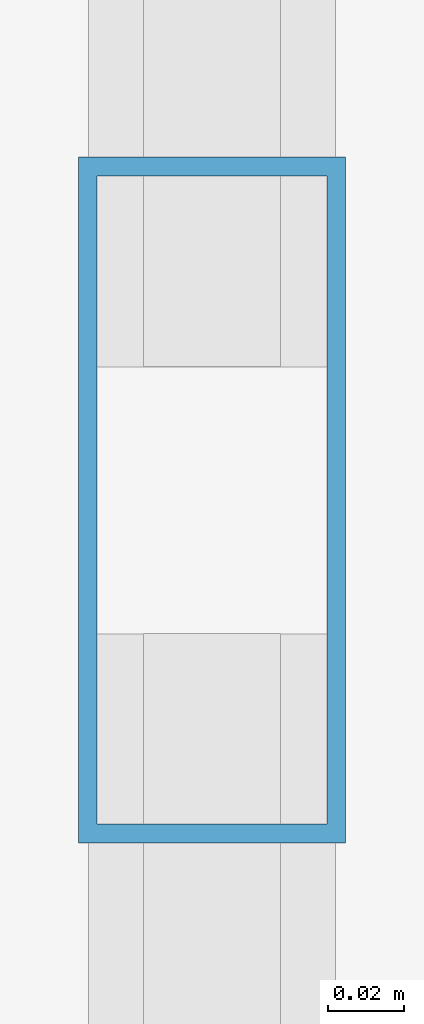
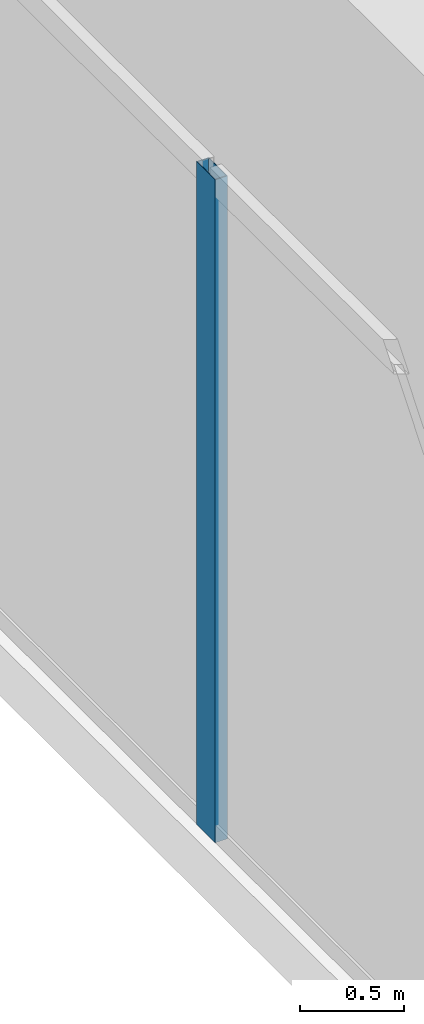
# One storey, part 9 of 32: 1 member, 1 element without a shape of its own.
"""IFC4 building model written with IfcOpenShell, lengths in metres."""

from ifc_helpers import new_model, si_unit, direction, frame, origin, origin_2d, place, context, subcontext, project, spatial, hollow_rectangle, extrude, source, transform, mapped, material, layer, layer_set, material_profile, profile_set, type_object, type_shapes, element, aggregate, save


model = new_model("IFC4")

# Units and contexts
model_context = context("Model", 3, precision=1e-05, world=origin(), true_north=direction((0.0, 1.0)))
body_context = subcontext(model_context, "Body", "Model", "MODEL_VIEW")
ifc_project = project(units=[si_unit("LENGTHUNIT", "METRE"), si_unit("AREAUNIT", "SQUARE_METRE"), si_unit("VOLUMEUNIT", "CUBIC_METRE"), si_unit("PLANEANGLEUNIT", "RADIAN"), si_unit("MASSUNIT", "GRAM", prefix="KILO")], contexts=[model_context])

# Site, building, storey
site_placement = place(None, origin())
site = spatial("IfcSite", under=ifc_project, at=site_placement, CompositionType="ELEMENT")
building_placement = place(site_placement, origin())
building = spatial("IfcBuilding", under=site, at=building_placement, Name="Haelvirn Gate Laboratories", CompositionType="ELEMENT")
storey_placement = place(building_placement, frame((0.0, 0.0, 301.800048828125)))
storey = spatial("IfcBuildingStorey", under=building, at=storey_placement, Name="L72", CompositionType="ELEMENT", Elevation=301.800048828125)

# Curtain wall, member
ifc_material_1 = material(Name="Anodised bronze unitised aluminium & triple low-E glass", Category="aluminium")
ifc_layer = layer(ifc_material_1, 0.176025390625, Name="CW-SYS-4")
ifc_layer_set = layer_set([ifc_layer], Name="Anodised bronze unitised aluminium & triple low-E glass")
curtain_wall_type = type_object("IfcCurtainWallType", Name="CW-SYS-4", PredefinedType="NOTDEFINED", material=ifc_layer_set)
curtain_wall_placement = place(storey_placement, origin())
curtain_wall = element("IfcCurtainWall", 1, at=curtain_wall_placement, inside=storey, type_object=curtain_wall_type, Name="L72 Unitised Curtain Wall CW-L72-P0-E17", PredefinedType="NOTDEFINED")
ifc_material_2 = material(Name="Extruded aluminium 6063-T6 (anodised bronze)", Category="aluminium")
ifc_material_profile = material_profile(ifc_material_2, hollow_rectangle(XDim=0.070068359375, YDim=0.179931640625, WallThickness=0.0048828125, at=origin_2d()), Name="CWM-180x70x5")
ifc_profile_set = profile_set([ifc_material_profile], Name="Extruded aluminium 6063-T6 (anodised bronze)")
member_type = type_object("IfcMemberType", Name="CWM-T180", PredefinedType="MULLION", material=ifc_profile_set)
shared_shape = source(origin(), body_context, "Body", "SweptSolid", [
    extrude(hollow_rectangle(XDim=0.070068359375, YDim=0.179931640625, WallThickness=0.0048828125, at=origin_2d()), origin(), (0.0, 0.0, 1.0), 3.89990234375),
])
type_shapes(member_type, [shared_shape])
member_placement = place(storey_placement, frame((5.89990234375, 24.300048828125, 0.0), z_axis=(0.0, 0.0, 1.0), x_axis=(1.0, 0.0, 0.0)))
member = element("IfcMember", 2, at=member_placement, type_object=member_type, Name="CW4 mullion 2", PredefinedType="MULLION", context=body_context, shape_type="MappedRepresentation", body=[
    mapped(shared_shape, transform((0.0, 0.0, 0.0), scale=1.0)),
])
aggregate(curtain_wall, [member])

save(model, "model.ifc")
